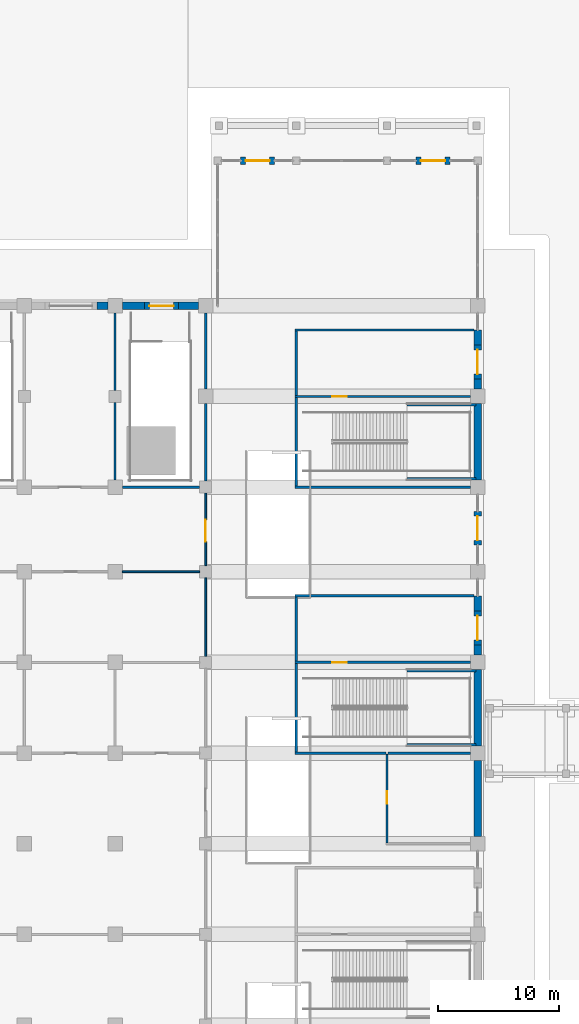
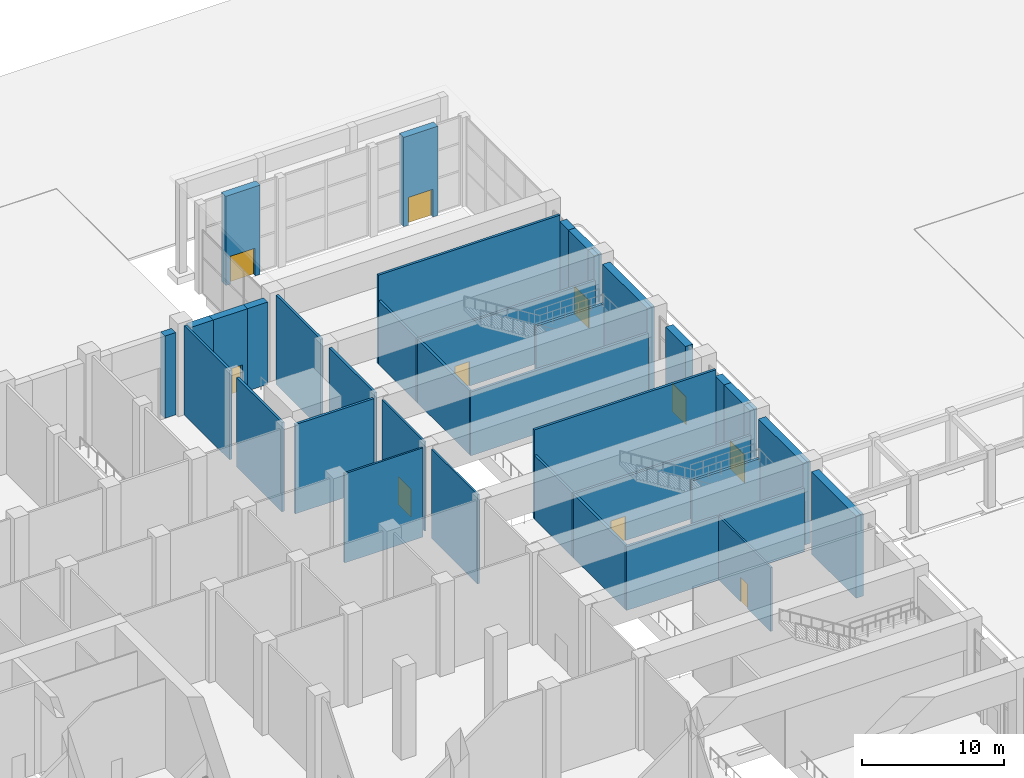
# One storey, part 31 of 57: 40 walls, 10 doors, 10 openings.
"""IFC4 building model written with IfcOpenShell, lengths in metres."""

from ifc_helpers import new_model, si_unit, direction, frame, frame_2d, origin, place, context, subcontext, project, spatial, rectangle, extrude, material, layer, layer_set, type_object, element, fill, save


model = new_model("IFC4")

# Units and contexts
model_context = context("Model", 3, precision=1e-05, world=origin(), true_north=direction((0.0, 1.0)))
body_context = subcontext(model_context, "Body", "Model", "MODEL_VIEW")
ifc_project = project(units=[si_unit("LENGTHUNIT", "METRE"), si_unit("AREAUNIT", "SQUARE_METRE"), si_unit("VOLUMEUNIT", "CUBIC_METRE"), si_unit("PLANEANGLEUNIT", "RADIAN"), si_unit("MASSUNIT", "GRAM", prefix="KILO")], contexts=[model_context])

# Site, building, storey
site_placement = place(None, origin())
site = spatial("IfcSite", under=ifc_project, at=site_placement, CompositionType="ELEMENT")
building_placement = place(site_placement, origin())
building = spatial("IfcBuilding", under=site, at=building_placement, Name="Tamorin Gate", CompositionType="ELEMENT")
storey_placement = place(building_placement, origin())
storey = spatial("IfcBuildingStorey", under=building, at=storey_placement, Name="L00", CompositionType="ELEMENT", Elevation=0.0)

# Walls
ifc_material_1 = material(Name="Reinforced concrete C32/40", Category="concrete")
ifc_layer_1 = layer(ifc_material_1, 0.199951171875)
ifc_layer_set_1 = layer_set([ifc_layer_1], Name="Exit passage wall 200")
wall_type_1 = type_object("IfcWallType", Name="Exit passage wall 200", PredefinedType="PARTITIONING", material=ifc_layer_set_1)
for number, where, z_axis, x_axis, name in (
    (1, (96.89990234375, 88.0, 0.0), (0.0, 0.0, 1.0), (1.0, 0.0, 0.0), "Exit passage wall 200 L00"),
    (2, (96.89990234375, 110.0, 0.0), (0.0, 0.0, 1.0), (1.0, 0.0, 0.0), "Exit passage wall 200 L00"),
):
    element("IfcWall", number, at=place(storey_placement, frame(where, z_axis=z_axis, x_axis=x_axis)), inside=storey, type_object=wall_type_1, Name=name, PredefinedType="PARTITIONING", context=body_context, shape_type="SweptSolid", body=[
        extrude(rectangle(XDim=14.800048828125, YDim=0.199951171875, at=frame_2d((7.39990234375, 0.0))), origin(), (0.0, 0.0, 1.0), 7.699951171875),
    ])
for number, where, z_axis, x_axis, name in (
    (3, (97.0, 82.60009765625, 0.0), (0.0, 0.0, 1.0), (0.0, 1.0, 0.0), "Exit passage wall 200 L00"),
    (4, (97.0, 104.60009765625, 0.0), (0.0, 0.0, 1.0), (0.0, 1.0, 0.0), "Exit passage wall 200 L00"),
):
    element("IfcWall", number, at=place(storey_placement, frame(where, z_axis=z_axis, x_axis=x_axis)), inside=storey, type_object=wall_type_1, Name=name, PredefinedType="PARTITIONING", context=body_context, shape_type="SweptSolid", body=[
        extrude(rectangle(XDim=5.2998046875, YDim=0.199951171875, at=frame_2d((2.64990234375, 0.0))), origin(), (0.0, 0.0, 1.0), 5.5),
    ])
ifc_material_2 = material(Name="Concrete masonry C20/25", Category="masonry")
ifc_layer_2 = layer(ifc_material_2, 0.14990234375)
ifc_layer_set_2 = layer_set([ifc_layer_2], Name="Partition 150")
wall_type_2 = type_object("IfcWallType", Name="Partition 150", PredefinedType="PARTITIONING", material=ifc_layer_set_2)
wall_1_placement = place(storey_placement, frame((82.60009765625, 90.0, 0.0), z_axis=(0.0, 0.0, 1.0), x_axis=(1.0, 0.0, 0.0)))
element("IfcWall", 5, at=wall_1_placement, inside=storey, type_object=wall_type_2, Name="Partition 150 L00", PredefinedType="PARTITIONING", context=body_context, shape_type="SweptSolid", body=[
    extrude(rectangle(XDim=6.39990234375, YDim=0.14990234375, at=frame_2d((3.199951171875, 0.0))), origin(), (0.0, 0.0, 1.0), 7.699951171875),
])
wall_2_placement = place(storey_placement, frame((89.5, 83.0, 0.0), z_axis=(0.0, 0.0, 1.0), x_axis=(0.0, 1.0, 0.0)))
element("IfcWall", 6, at=wall_2_placement, inside=storey, type_object=wall_type_2, Name="Partition 150 L00", PredefinedType="PARTITIONING", context=body_context, shape_type="SweptSolid", body=[
    extrude(rectangle(XDim=6.5, YDim=0.14990234375, at=frame_2d((3.25, 0.0))), origin(), (0.0, 0.0, 1.0), 7.699951171875),
])

# Wall, opening, door
wall_3_placement = place(storey_placement, frame((89.5, 96.5, 0.0), z_axis=(0.0, 0.0, 1.0), x_axis=(0.0, -1.0, 0.0)))
wall_3 = element("IfcWall", 7, at=wall_3_placement, inside=storey, type_object=wall_type_2, Name="Partition 150 L00", PredefinedType="PARTITIONING", context=body_context, shape_type="SweptSolid", body=[
    extrude(rectangle(XDim=6.0, YDim=0.14990234375, at=frame_2d((3.0, 0.0))), origin(), (0.0, 0.0, 1.0), 7.699951171875),
])
opening_1_placement = place(wall_3_placement, frame((2.199951171875, 0.0, 0.0)))
opening_1 = element("IfcOpeningElement", 8, at=opening_1_placement, cuts=wall_3, Name="Opening DP3", PredefinedType="OPENING", context=body_context, shape_type="SweptSolid", body=[
    extrude(rectangle(XDim=1.800048828125, YDim=2.39990234375, at=frame_2d((0.89990234375, 1.199951171875))), frame((0.0, 0.0849609375, 0.0), z_axis=(0.0, -1.0, 0.0), x_axis=(1.0, 0.0, 0.0)), (0.0, 0.0, 1.0), 0.169921875),
])
ifc_material_3 = material(Name="Steel and glass", Category="steel")
door_type_1 = type_object("IfcDoorType", Name="Door pair 1800", OperationType="DOUBLE_DOOR_SINGLE_SWING", PredefinedType="DOOR", material=ifc_material_3)
door_1_placement = place(opening_1_placement, origin())
door_1 = element("IfcDoor", 9, at=door_1_placement, inside=storey, type_object=door_type_1, Name="Door pair 1800 L00", OperationType="SINGLE_SWING_LEFT", OverallHeight=2.39990234375, OverallWidth=1.800048828125, PredefinedType="DOOR", context=body_context, shape_type="SweptSolid", body=[
    extrude(rectangle(XDim=1.800048828125, YDim=2.39990234375, at=frame_2d((0.89990234375, 1.199951171875))), frame((0.0, 0.02490234375, 0.0), z_axis=(0.0, -1.0, 0.0), x_axis=(1.0, 0.0, 0.0)), (0.0, 0.0, 1.0), 0.050048828125),
])
fill(opening_1, door_1)

wall_4_placement = place(storey_placement, frame((104.5, 67.574951171875, 0.0), z_axis=(0.0, 0.0, 1.0), x_axis=(0.0, 1.0, 0.0)))
wall_4 = element("IfcWall", 10, at=wall_4_placement, inside=storey, type_object=wall_type_2, Name="Partition 150 L00", PredefinedType="PARTITIONING", context=body_context, shape_type="SweptSolid", body=[
    extrude(rectangle(XDim=7.324951171875, YDim=0.14990234375, at=frame_2d((3.66259765625, 0.0))), origin(), (0.0, 0.0, 1.0), 5.5),
])
opening_2_placement = place(wall_4_placement, frame((3.25, 0.0, 0.0)))
opening_2 = element("IfcOpeningElement", 11, at=opening_2_placement, cuts=wall_4, Name="Opening DP2", PredefinedType="OPENING", context=body_context, shape_type="SweptSolid", body=[
    extrude(rectangle(XDim=1.0, YDim=2.10009765625, at=frame_2d((0.5, 1.050048828125))), frame((0.0, 0.0849609375, 0.0), z_axis=(0.0, -1.0, 0.0), x_axis=(1.0, 0.0, 0.0)), (0.0, 0.0, 1.0), 0.169921875),
])
ifc_material_4 = material(Name="Painted steel", Category="steel")
door_type_2 = type_object("IfcDoorType", Name="Door single 1000", OperationType="SINGLE_SWING_LEFT", PredefinedType="DOOR", material=ifc_material_4)
door_2_placement = place(opening_2_placement, origin())
door_2 = element("IfcDoor", 12, at=door_2_placement, inside=storey, type_object=door_type_2, Name="Door single 1000 L00", OperationType="SINGLE_SWING_LEFT", OverallHeight=2.10009765625, OverallWidth=1.0, PredefinedType="DOOR", context=body_context, shape_type="SweptSolid", body=[
    extrude(rectangle(XDim=1.0, YDim=2.10009765625, at=frame_2d((0.5, 1.050048828125))), frame((0.0, 0.02490234375, 0.0), z_axis=(0.0, -1.0, 0.0), x_axis=(1.0, 0.0, 0.0)), (0.0, 0.0, 1.0), 0.050048828125),
])
fill(opening_2, door_2)

# Wall
ifc_material_5 = material(Name="Precast concrete C40/50", Category="concrete")
ifc_layer_3 = layer(ifc_material_5, 0.60009765625)
ifc_layer_set_3 = layer_set([ifc_layer_3], Name="Precast concrete C40/50")
wall_type_3 = type_object("IfcWallType", Name="Precast plinth wall 600", PredefinedType="PARTITIONING", material=ifc_layer_set_3)
wall_5_placement = place(storey_placement, frame((80.5, 112.0, 0.0), z_axis=(0.0, 0.0, 1.0), x_axis=(1.0, 0.0, 0.0)))
element("IfcWall", 13, at=wall_5_placement, inside=storey, type_object=wall_type_3, Name="Precast plinth wall 600 L00", PredefinedType="PARTITIONING", context=body_context, shape_type="SweptSolid", body=[
    extrude(rectangle(XDim=0.89990234375, YDim=0.60009765625, at=frame_2d((0.449951171875, 0.0))), origin(), (0.0, 0.0, 1.0), 7.10009765625),
])

# Wall, opening, door
wall_6_placement = place(storey_placement, frame((84.449951171875, 112.0, 0.0), z_axis=(0.0, 0.0, 1.0), x_axis=(1.0, 0.0, 0.0)))
wall_6 = element("IfcWall", 14, at=wall_6_placement, inside=storey, type_object=wall_type_3, Name="Precast plinth wall 600 L00", PredefinedType="PARTITIONING", context=body_context, shape_type="SweptSolid", body=[
    extrude(rectangle(XDim=2.800048828125, YDim=0.60009765625, at=frame_2d((1.39990234375, 0.0))), origin(), (0.0, 0.0, 1.0), 7.10009765625),
])
opening_3_placement = place(wall_6_placement, frame((0.39990234375, 0.0, 0.0)))
opening_3 = element("IfcOpeningElement", 15, at=opening_3_placement, cuts=wall_6, Name="Opening DP4", PredefinedType="OPENING", context=body_context, shape_type="SweptSolid", body=[
    extrude(rectangle(XDim=2.0, YDim=2.39990234375, at=frame_2d((1.0, 1.199951171875))), frame((0.0, 0.31005859375, 0.0), z_axis=(0.0, -1.0, 0.0), x_axis=(1.0, 0.0, 0.0)), (0.0, 0.0, 1.0), 0.6201171875),
])
door_type_3 = type_object("IfcDoorType", Name="Exit door pair 2000", OperationType="DOUBLE_DOOR_SINGLE_SWING", PredefinedType="DOOR", material=ifc_material_3)
door_3_placement = place(opening_3_placement, origin())
door_3 = element("IfcDoor", 16, at=door_3_placement, inside=storey, type_object=door_type_3, Name="Exit door pair 2000 L00", OperationType="SINGLE_SWING_LEFT", OverallHeight=2.39990234375, OverallWidth=2.0, PredefinedType="DOOR", context=body_context, shape_type="SweptSolid", body=[
    extrude(rectangle(XDim=2.0, YDim=2.39990234375, at=frame_2d((1.0, 1.199951171875))), frame((0.0, 0.02490234375, 0.0), z_axis=(0.0, -1.0, 0.0), x_axis=(1.0, 0.0, 0.0)), (0.0, 0.0, 1.0), 0.050048828125),
])
fill(opening_3, door_3)

# Walls
wall_7_placement = place(storey_placement, frame((82.60009765625, 112.0, 0.0), z_axis=(0.0, 0.0, 1.0), x_axis=(1.0, 0.0, 0.0)))
element("IfcWall", 17, at=wall_7_placement, inside=storey, type_object=wall_type_3, Name="Precast plinth wall 600 L00", PredefinedType="PARTITIONING", context=body_context, shape_type="SweptSolid", body=[
    extrude(rectangle(XDim=1.849853515625, YDim=0.60009765625, at=frame_2d((0.9248046875, 0.0))), origin(), (0.0, 0.0, 1.0), 7.10009765625),
])
wall_8_placement = place(storey_placement, frame((87.25, 112.0, 0.0), z_axis=(0.0, 0.0, 1.0), x_axis=(1.0, 0.0, 0.0)))
element("IfcWall", 18, at=wall_8_placement, inside=storey, type_object=wall_type_3, Name="Precast plinth wall 600 L00", PredefinedType="PARTITIONING", context=body_context, shape_type="SweptSolid", body=[
    extrude(rectangle(XDim=1.64990234375, YDim=0.60009765625, at=frame_2d((0.824951171875, 0.0))), origin(), (0.0, 0.0, 1.0), 7.10009765625),
])

# Wall, opening, door
wall_9_placement = place(storey_placement, frame((92.39990234375, 124.0, 0.0), z_axis=(0.0, 0.0, 1.0), x_axis=(1.0, 0.0, 0.0)))
wall_9 = element("IfcWall", 19, at=wall_9_placement, inside=storey, type_object=wall_type_3, Name="Precast plinth wall 600 L00", PredefinedType="PARTITIONING", context=body_context, shape_type="SweptSolid", body=[
    extrude(rectangle(XDim=2.800048828125, YDim=0.60009765625, at=frame_2d((1.39990234375, 0.0))), origin(), (0.0, 0.0, 1.0), 7.699951171875),
])
opening_4_placement = place(wall_9_placement, frame((0.39990234375, 0.0, 0.0)))
opening_4 = element("IfcOpeningElement", 20, at=opening_4_placement, cuts=wall_9, Name="Opening DP4", PredefinedType="OPENING", context=body_context, shape_type="SweptSolid", body=[
    extrude(rectangle(XDim=2.0, YDim=2.39990234375, at=frame_2d((1.0, 1.199951171875))), frame((0.0, 0.31005859375, 0.0), z_axis=(0.0, -1.0, 0.0), x_axis=(1.0, 0.0, 0.0)), (0.0, 0.0, 1.0), 0.6201171875),
])
door_4_placement = place(opening_4_placement, origin())
door_4 = element("IfcDoor", 21, at=door_4_placement, inside=storey, type_object=door_type_3, Name="Exit door pair 2000 L00", OperationType="SINGLE_SWING_LEFT", OverallHeight=2.39990234375, OverallWidth=2.0, PredefinedType="DOOR", context=body_context, shape_type="SweptSolid", body=[
    extrude(rectangle(XDim=2.0, YDim=2.39990234375, at=frame_2d((1.0, 1.199951171875))), frame((0.0, 0.02490234375, 0.0), z_axis=(0.0, -1.0, 0.0), x_axis=(1.0, 0.0, 0.0)), (0.0, 0.0, 1.0), 0.050048828125),
])
fill(opening_4, door_4)

wall_10_placement = place(storey_placement, frame((106.89990234375, 124.0, 0.0), z_axis=(0.0, 0.0, 1.0), x_axis=(1.0, 0.0, 0.0)))
wall_10 = element("IfcWall", 22, at=wall_10_placement, inside=storey, type_object=wall_type_3, Name="Precast plinth wall 600 L00", PredefinedType="PARTITIONING", context=body_context, shape_type="SweptSolid", body=[
    extrude(rectangle(XDim=2.800048828125, YDim=0.60009765625, at=frame_2d((1.39990234375, 0.0))), origin(), (0.0, 0.0, 1.0), 7.699951171875),
])
opening_5_placement = place(wall_10_placement, frame((0.39990234375, 0.0, 0.0)))
opening_5 = element("IfcOpeningElement", 23, at=opening_5_placement, cuts=wall_10, Name="Opening DP4", PredefinedType="OPENING", context=body_context, shape_type="SweptSolid", body=[
    extrude(rectangle(XDim=2.0, YDim=2.39990234375, at=frame_2d((1.0, 1.199951171875))), frame((0.0, 0.31005859375, 0.0), z_axis=(0.0, -1.0, 0.0), x_axis=(1.0, 0.0, 0.0)), (0.0, 0.0, 1.0), 0.6201171875),
])
door_5_placement = place(opening_5_placement, origin())
door_5 = element("IfcDoor", 24, at=door_5_placement, inside=storey, type_object=door_type_3, Name="Exit door pair 2000 L00", OperationType="SINGLE_SWING_LEFT", OverallHeight=2.39990234375, OverallWidth=2.0, PredefinedType="DOOR", context=body_context, shape_type="SweptSolid", body=[
    extrude(rectangle(XDim=2.0, YDim=2.39990234375, at=frame_2d((1.0, 1.199951171875))), frame((0.0, 0.02490234375, 0.0), z_axis=(0.0, -1.0, 0.0), x_axis=(1.0, 0.0, 0.0)), (0.0, 0.0, 1.0), 0.050048828125),
])
fill(opening_5, door_5)

# Walls
for number, where, z_axis, x_axis, name in (
    (25, (112.0, 68.10009765625, 0.0), (0.0, 0.0, 1.0), (0.0, 1.0, 0.0), "Precast plinth wall 600 L00"),
    (26, (112.0, 75.60009765625, 0.0), (0.0, 0.0, 1.0), (0.0, 1.0, 0.0), "Precast plinth wall 600 L00"),
):
    element("IfcWall", number, at=place(storey_placement, frame(where, z_axis=z_axis, x_axis=x_axis)), inside=storey, type_object=wall_type_3, Name=name, PredefinedType="PARTITIONING", context=body_context, shape_type="SweptSolid", body=[
        extrude(rectangle(XDim=6.2998046875, YDim=0.60009765625, at=frame_2d((3.14990234375, 0.0))), origin(), (0.0, 0.0, 1.0), 7.10009765625),
    ])

# Wall, opening, door
wall_11_placement = place(storey_placement, frame((112.0, 86.75, 0.0), z_axis=(0.0, 0.0, 1.0), x_axis=(0.0, -1.0, 0.0)))
wall_11 = element("IfcWall", 27, at=wall_11_placement, inside=storey, type_object=wall_type_3, Name="Precast plinth wall 600 L00", PredefinedType="PARTITIONING", context=body_context, shape_type="SweptSolid", body=[
    extrude(rectangle(XDim=2.800048828125, YDim=0.60009765625, at=frame_2d((1.39990234375, 0.0))), origin(), (0.0, 0.0, 1.0), 7.10009765625),
])
opening_6_placement = place(wall_11_placement, frame((0.39990234375, 0.0, 0.0)))
opening_6 = element("IfcOpeningElement", 28, at=opening_6_placement, cuts=wall_11, Name="Opening DP4", PredefinedType="OPENING", context=body_context, shape_type="SweptSolid", body=[
    extrude(rectangle(XDim=2.0, YDim=2.39990234375, at=frame_2d((1.0, 1.199951171875))), frame((0.0, 0.31005859375, 0.0), z_axis=(0.0, -1.0, 0.0), x_axis=(1.0, 0.0, 0.0)), (0.0, 0.0, 1.0), 0.6201171875),
])
door_6_placement = place(opening_6_placement, origin())
door_6 = element("IfcDoor", 29, at=door_6_placement, inside=storey, type_object=door_type_3, Name="Exit door pair 2000 L00", OperationType="SINGLE_SWING_LEFT", OverallHeight=2.39990234375, OverallWidth=2.0, PredefinedType="DOOR", context=body_context, shape_type="SweptSolid", body=[
    extrude(rectangle(XDim=2.0, YDim=2.39990234375, at=frame_2d((1.0, 1.199951171875))), frame((0.0, 0.02490234375, 0.0), z_axis=(0.0, -1.0, 0.0), x_axis=(1.0, 0.0, 0.0)), (0.0, 0.0, 1.0), 0.050048828125),
])
fill(opening_6, door_6)

# Walls
wall_12_placement = place(storey_placement, frame((112.0, 83.10009765625, 0.0), z_axis=(0.0, 0.0, 1.0), x_axis=(0.0, 1.0, 0.0)))
element("IfcWall", 30, at=wall_12_placement, inside=storey, type_object=wall_type_3, Name="Precast plinth wall 600 L00", PredefinedType="PARTITIONING", context=body_context, shape_type="SweptSolid", body=[
    extrude(rectangle(XDim=0.849853515625, YDim=0.60009765625, at=frame_2d((0.4248046875, 0.0))), origin(), (0.0, 0.0, 1.0), 7.10009765625),
])
wall_13_placement = place(storey_placement, frame((112.0, 86.75, 0.0), z_axis=(0.0, 0.0, 1.0), x_axis=(0.0, 1.0, 0.0)))
element("IfcWall", 31, at=wall_13_placement, inside=storey, type_object=wall_type_3, Name="Precast plinth wall 600 L00", PredefinedType="PARTITIONING", context=body_context, shape_type="SweptSolid", body=[
    extrude(rectangle(XDim=1.25, YDim=0.60009765625, at=frame_2d((0.625, 0.0))), origin(), (0.0, 0.0, 1.0), 7.10009765625),
])

# Wall, opening, door
wall_14_placement = place(storey_placement, frame((112.0, 95.0, 0.0), z_axis=(0.0, 0.0, 1.0), x_axis=(0.0, -1.0, 0.0)))
wall_14 = element("IfcWall", 32, at=wall_14_placement, inside=storey, type_object=wall_type_3, Name="Precast plinth wall 600 L00", PredefinedType="PARTITIONING", context=body_context, shape_type="SweptSolid", body=[
    extrude(rectangle(XDim=2.800048828125, YDim=0.60009765625, at=frame_2d((1.39990234375, 0.0))), origin(), (0.0, 0.0, 1.0), 7.10009765625),
])
opening_7_placement = place(wall_14_placement, frame((0.39990234375, 0.0, 0.0)))
opening_7 = element("IfcOpeningElement", 33, at=opening_7_placement, cuts=wall_14, Name="Opening DP4", PredefinedType="OPENING", context=body_context, shape_type="SweptSolid", body=[
    extrude(rectangle(XDim=2.0, YDim=2.39990234375, at=frame_2d((1.0, 1.199951171875))), frame((0.0, 0.31005859375, 0.0), z_axis=(0.0, -1.0, 0.0), x_axis=(1.0, 0.0, 0.0)), (0.0, 0.0, 1.0), 0.6201171875),
])
door_7_placement = place(opening_7_placement, origin())
door_7 = element("IfcDoor", 34, at=door_7_placement, inside=storey, type_object=door_type_3, Name="Exit door pair 2000 L00", OperationType="SINGLE_SWING_LEFT", OverallHeight=2.39990234375, OverallWidth=2.0, PredefinedType="DOOR", context=body_context, shape_type="SweptSolid", body=[
    extrude(rectangle(XDim=2.0, YDim=2.39990234375, at=frame_2d((1.0, 1.199951171875))), frame((0.0, 0.02490234375, 0.0), z_axis=(0.0, -1.0, 0.0), x_axis=(1.0, 0.0, 0.0)), (0.0, 0.0, 1.0), 0.050048828125),
])
fill(opening_7, door_7)

# Wall
wall_15_placement = place(storey_placement, frame((112.0, 97.60009765625, 0.0), z_axis=(0.0, 0.0, 1.0), x_axis=(0.0, 1.0, 0.0)))
element("IfcWall", 35, at=wall_15_placement, inside=storey, type_object=wall_type_3, Name="Precast plinth wall 600 L00", PredefinedType="PARTITIONING", context=body_context, shape_type="SweptSolid", body=[
    extrude(rectangle(XDim=6.2998046875, YDim=0.60009765625, at=frame_2d((3.14990234375, 0.0))), origin(), (0.0, 0.0, 1.0), 7.10009765625),
])

# Wall, opening, door
wall_16_placement = place(storey_placement, frame((112.0, 108.75, 0.0), z_axis=(0.0, 0.0, 1.0), x_axis=(0.0, -1.0, 0.0)))
wall_16 = element("IfcWall", 36, at=wall_16_placement, inside=storey, type_object=wall_type_3, Name="Precast plinth wall 600 L00", PredefinedType="PARTITIONING", context=body_context, shape_type="SweptSolid", body=[
    extrude(rectangle(XDim=2.800048828125, YDim=0.60009765625, at=frame_2d((1.39990234375, 0.0))), origin(), (0.0, 0.0, 1.0), 7.10009765625),
])
opening_8_placement = place(wall_16_placement, frame((0.39990234375, 0.0, 0.0)))
opening_8 = element("IfcOpeningElement", 37, at=opening_8_placement, cuts=wall_16, Name="Opening DP4", PredefinedType="OPENING", context=body_context, shape_type="SweptSolid", body=[
    extrude(rectangle(XDim=2.0, YDim=2.39990234375, at=frame_2d((1.0, 1.199951171875))), frame((0.0, 0.31005859375, 0.0), z_axis=(0.0, -1.0, 0.0), x_axis=(1.0, 0.0, 0.0)), (0.0, 0.0, 1.0), 0.6201171875),
])
door_8_placement = place(opening_8_placement, origin())
door_8 = element("IfcDoor", 38, at=door_8_placement, inside=storey, type_object=door_type_3, Name="Exit door pair 2000 L00", OperationType="SINGLE_SWING_LEFT", OverallHeight=2.39990234375, OverallWidth=2.0, PredefinedType="DOOR", context=body_context, shape_type="SweptSolid", body=[
    extrude(rectangle(XDim=2.0, YDim=2.39990234375, at=frame_2d((1.0, 1.199951171875))), frame((0.0, 0.02490234375, 0.0), z_axis=(0.0, -1.0, 0.0), x_axis=(1.0, 0.0, 0.0)), (0.0, 0.0, 1.0), 0.050048828125),
])
fill(opening_8, door_8)

# Walls
wall_17_placement = place(storey_placement, frame((112.0, 105.10009765625, 0.0), z_axis=(0.0, 0.0, 1.0), x_axis=(0.0, 1.0, 0.0)))
element("IfcWall", 39, at=wall_17_placement, inside=storey, type_object=wall_type_3, Name="Precast plinth wall 600 L00", PredefinedType="PARTITIONING", context=body_context, shape_type="SweptSolid", body=[
    extrude(rectangle(XDim=0.849853515625, YDim=0.60009765625, at=frame_2d((0.4248046875, 0.0))), origin(), (0.0, 0.0, 1.0), 7.10009765625),
])
wall_18_placement = place(storey_placement, frame((112.0, 108.75, 0.0), z_axis=(0.0, 0.0, 1.0), x_axis=(0.0, 1.0, 0.0)))
element("IfcWall", 40, at=wall_18_placement, inside=storey, type_object=wall_type_3, Name="Precast plinth wall 600 L00", PredefinedType="PARTITIONING", context=body_context, shape_type="SweptSolid", body=[
    extrude(rectangle(XDim=1.25, YDim=0.60009765625, at=frame_2d((0.625, 0.0))), origin(), (0.0, 0.0, 1.0), 7.10009765625),
])
ifc_material_6 = material(Name="Concrete C40/50", Category="concrete")
ifc_layer_4 = layer(ifc_material_6, 0.199951171875)
ifc_layer_set_4 = layer_set([ifc_layer_4], Name="Stair enclosure 200")
wall_type_4 = type_object("IfcWallType", Name="Stair enclosure 200", PredefinedType="SHEAR", material=ifc_layer_set_4)
wall_19_placement = place(storey_placement, frame((82.60009765625, 97.0, 0.0), z_axis=(0.0, 0.0, 1.0), x_axis=(1.0, 0.0, 0.0)))
element("IfcWall", 41, at=wall_19_placement, inside=storey, type_object=wall_type_4, Name="Stair enclosure 200 L00", PredefinedType="SHEAR", context=body_context, shape_type="SweptSolid", body=[
    extrude(rectangle(XDim=6.39990234375, YDim=0.199951171875, at=frame_2d((3.199951171875, 0.0))), origin(), (0.0, 0.0, 1.0), 7.699951171875),
])
wall_20_placement = place(storey_placement, frame((96.89990234375, 97.0, 0.0), z_axis=(0.0, 0.0, 1.0), x_axis=(1.0, 0.0, 0.0)))
element("IfcWall", 42, at=wall_20_placement, inside=storey, type_object=wall_type_4, Name="Stair enclosure 200 L00", PredefinedType="SHEAR", context=body_context, shape_type="SweptSolid", body=[
    extrude(rectangle(XDim=14.5, YDim=0.199951171875, at=frame_2d((7.25, 0.0))), origin(), (0.0, 0.0, 1.0), 5.5),
])

# Wall, opening, door
wall_21_placement = place(storey_placement, frame((96.89990234375, 82.5, 0.0), z_axis=(0.0, 0.0, 1.0), x_axis=(1.0, 0.0, 0.0)))
wall_21 = element("IfcWall", 43, at=wall_21_placement, inside=storey, type_object=wall_type_4, Name="Stair enclosure 200 L00", PredefinedType="SHEAR", context=body_context, shape_type="SweptSolid", body=[
    extrude(rectangle(XDim=14.5, YDim=0.199951171875, at=frame_2d((7.25, 0.0))), origin(), (0.0, 0.0, 1.0), 5.5),
])
opening_9_placement = place(wall_21_placement, frame((3.050048828125, 0.0, 0.0)))
opening_9 = element("IfcOpeningElement", 44, at=opening_9_placement, cuts=wall_21, Name="Opening DP5", PredefinedType="OPENING", context=body_context, shape_type="SweptSolid", body=[
    extrude(rectangle(XDim=1.199951171875, YDim=2.10009765625, at=frame_2d((0.60009765625, 1.050048828125))), frame((0.0, 0.10986328125, 0.0), z_axis=(0.0, -1.0, 0.0), x_axis=(1.0, 0.0, 0.0)), (0.0, 0.0, 1.0), 0.219970703125),
])
door_type_4 = type_object("IfcDoorType", Name="Stair door 1200", OperationType="SINGLE_SWING_LEFT", PredefinedType="DOOR", material=ifc_material_4)
door_9_placement = place(opening_9_placement, origin())
door_9 = element("IfcDoor", 45, at=door_9_placement, inside=storey, type_object=door_type_4, Name="Stair door 1200 L00", OperationType="SINGLE_SWING_LEFT", OverallHeight=2.10009765625, OverallWidth=1.199951171875, PredefinedType="DOOR", context=body_context, shape_type="SweptSolid", body=[
    extrude(rectangle(XDim=1.199951171875, YDim=2.10009765625, at=frame_2d((0.60009765625, 1.050048828125))), frame((0.0, 0.02490234375, 0.0), z_axis=(0.0, -1.0, 0.0), x_axis=(1.0, 0.0, 0.0)), (0.0, 0.0, 1.0), 0.050048828125),
])
fill(opening_9, door_9)

# Walls
wall_22_placement = place(storey_placement, frame((96.89990234375, 75.0, 0.0), z_axis=(0.0, 0.0, 1.0), x_axis=(1.0, 0.0, 0.0)))
element("IfcWall", 46, at=wall_22_placement, inside=storey, type_object=wall_type_4, Name="Stair enclosure 200 L00", PredefinedType="SHEAR", context=body_context, shape_type="SweptSolid", body=[
    extrude(rectangle(XDim=7.525146484375, YDim=0.199951171875, at=frame_2d((3.7626953125, 0.0))), origin(), (0.0, 0.0, 1.0), 5.5),
])
wall_23_placement = place(storey_placement, frame((104.574951171875, 75.0, 0.0), z_axis=(0.0, 0.0, 1.0), x_axis=(1.0, 0.0, 0.0)))
element("IfcWall", 47, at=wall_23_placement, inside=storey, type_object=wall_type_4, Name="Stair enclosure 200 L00", PredefinedType="SHEAR", context=body_context, shape_type="SweptSolid", body=[
    extrude(rectangle(XDim=6.824951171875, YDim=0.199951171875, at=frame_2d((3.41259765625, 0.0))), origin(), (0.0, 0.0, 1.0), 5.5),
])

# Wall, opening, door
wall_24_placement = place(storey_placement, frame((96.89990234375, 104.5, 0.0), z_axis=(0.0, 0.0, 1.0), x_axis=(1.0, 0.0, 0.0)))
wall_24 = element("IfcWall", 48, at=wall_24_placement, inside=storey, type_object=wall_type_4, Name="Stair enclosure 200 L00", PredefinedType="SHEAR", context=body_context, shape_type="SweptSolid", body=[
    extrude(rectangle(XDim=14.5, YDim=0.199951171875, at=frame_2d((7.25, 0.0))), origin(), (0.0, 0.0, 1.0), 5.5),
])
opening_10_placement = place(wall_24_placement, frame((3.050048828125, 0.0, 0.0)))
opening_10 = element("IfcOpeningElement", 49, at=opening_10_placement, cuts=wall_24, Name="Opening DP5", PredefinedType="OPENING", context=body_context, shape_type="SweptSolid", body=[
    extrude(rectangle(XDim=1.199951171875, YDim=2.10009765625, at=frame_2d((0.60009765625, 1.050048828125))), frame((0.0, 0.10986328125, 0.0), z_axis=(0.0, -1.0, 0.0), x_axis=(1.0, 0.0, 0.0)), (0.0, 0.0, 1.0), 0.219970703125),
])
door_10_placement = place(opening_10_placement, origin())
door_10 = element("IfcDoor", 50, at=door_10_placement, inside=storey, type_object=door_type_4, Name="Stair door 1200 L00", OperationType="SINGLE_SWING_LEFT", OverallHeight=2.10009765625, OverallWidth=1.199951171875, PredefinedType="DOOR", context=body_context, shape_type="SweptSolid", body=[
    extrude(rectangle(XDim=1.199951171875, YDim=2.10009765625, at=frame_2d((0.60009765625, 1.050048828125))), frame((0.0, 0.02490234375, 0.0), z_axis=(0.0, -1.0, 0.0), x_axis=(1.0, 0.0, 0.0)), (0.0, 0.0, 1.0), 0.050048828125),
])
fill(opening_10, door_10)

# Walls
wall_25_placement = place(storey_placement, frame((89.5, 97.5, 0.0), z_axis=(0.0, 0.0, 1.0), x_axis=(0.0, 1.0, 0.0)))
element("IfcWall", 51, at=wall_25_placement, inside=storey, type_object=wall_type_4, Name="Stair enclosure 200 L00", PredefinedType="SHEAR", context=body_context, shape_type="SweptSolid", body=[
    extrude(rectangle(XDim=6.39990234375, YDim=0.199951171875, at=frame_2d((3.199951171875, 0.0))), origin(), (0.0, 0.0, 1.0), 7.699951171875),
])
wall_26_placement = place(storey_placement, frame((89.5, 105.10009765625, 0.0), z_axis=(0.0, 0.0, 1.0), x_axis=(0.0, 1.0, 0.0)))
element("IfcWall", 52, at=wall_26_placement, inside=storey, type_object=wall_type_4, Name="Stair enclosure 200 L00", PredefinedType="SHEAR", context=body_context, shape_type="SweptSolid", body=[
    extrude(rectangle(XDim=6.2998046875, YDim=0.199951171875, at=frame_2d((3.14990234375, 0.0))), origin(), (0.0, 0.0, 1.0), 7.699951171875),
])
for number, where, z_axis, x_axis, name in (
    (53, (82.0, 97.60009765625, 0.0), (0.0, 0.0, 1.0), (0.0, 1.0, 0.0), "Stair enclosure 200 L00"),
    (54, (82.0, 105.0, 0.0), (0.0, 0.0, 1.0), (0.0, 1.0, 0.0), "Stair enclosure 200 L00"),
):
    element("IfcWall", number, at=place(storey_placement, frame(where, z_axis=z_axis, x_axis=x_axis)), inside=storey, type_object=wall_type_4, Name=name, PredefinedType="SHEAR", context=body_context, shape_type="SweptSolid", body=[
        extrude(rectangle(XDim=6.39990234375, YDim=0.199951171875, at=frame_2d((3.199951171875, 0.0))), origin(), (0.0, 0.0, 1.0), 7.699951171875),
    ])
for number, where, z_axis, x_axis, name in (
    (55, (97.0, 75.10009765625, 0.0), (0.0, 0.0, 1.0), (0.0, 1.0, 0.0), "Stair enclosure 200 L00"),
    (56, (97.0, 97.10009765625, 0.0), (0.0, 0.0, 1.0), (0.0, 1.0, 0.0), "Stair enclosure 200 L00"),
):
    element("IfcWall", number, at=place(storey_placement, frame(where, z_axis=z_axis, x_axis=x_axis)), inside=storey, type_object=wall_type_4, Name=name, PredefinedType="SHEAR", context=body_context, shape_type="SweptSolid", body=[
        extrude(rectangle(XDim=7.2998046875, YDim=0.199951171875, at=frame_2d((3.64990234375, 0.0))), origin(), (0.0, 0.0, 1.0), 5.5),
    ])
for number, where, z_axis, x_axis, name in (
    (57, (106.159912109375, 97.699951171875, 0.0), (0.0, 0.0, 1.0), (1.0, 0.0, 0.0), "Landing support wall"),
    (58, (106.159912109375, 103.800048828125, 0.0), (0.0, 0.0, 1.0), (1.0, 0.0, 0.0), "Landing support wall"),
    (59, (106.159912109375, 75.699951171875, 0.0), (0.0, 0.0, 1.0), (1.0, 0.0, 0.0), "Landing support wall"),
    (60, (106.159912109375, 81.800048828125, 0.0), (0.0, 0.0, 1.0), (1.0, 0.0, 0.0), "Landing support wall"),
):
    element("IfcWall", number, at=place(storey_placement, frame(where, z_axis=z_axis, x_axis=x_axis)), inside=storey, type_object=wall_type_4, Name=name, PredefinedType="SHEAR", context=body_context, shape_type="SweptSolid", body=[
        extrude(rectangle(XDim=5.690185546875, YDim=0.199951171875, at=frame_2d((2.84521484375, 0.0))), origin(), (0.0, 0.0, 1.0), 3.800048828125),
    ])

save(model, "model.ifc")
